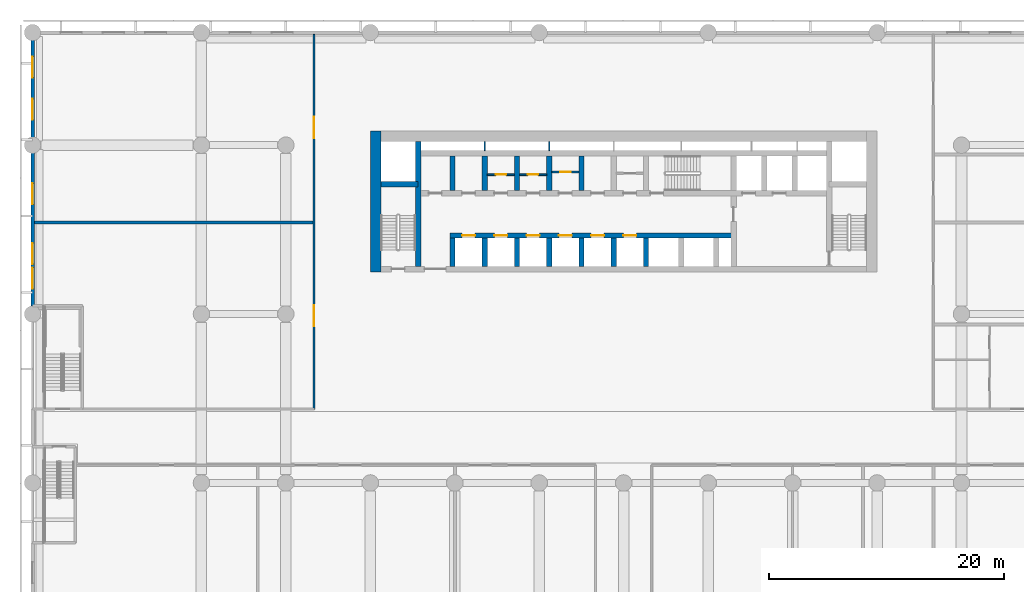
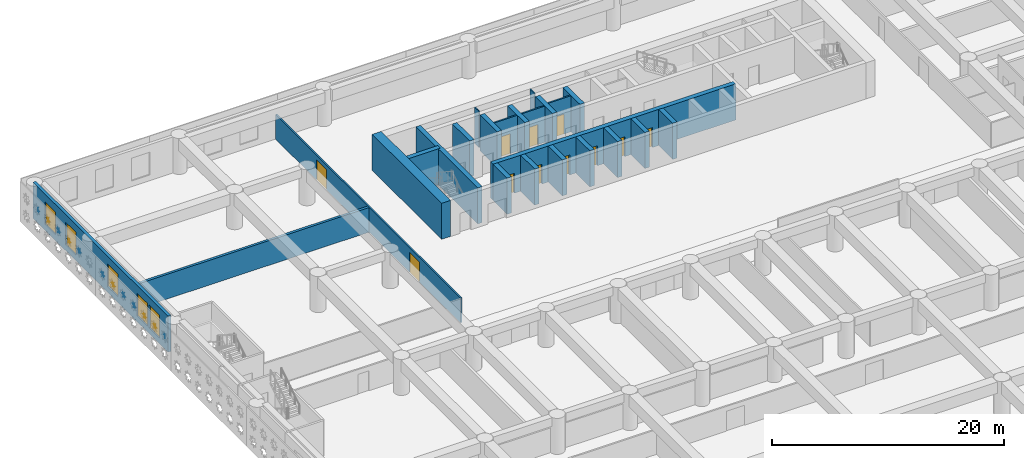
# One storey, part 6 of 23: 24 walls, 11 doors, 5 windows, 16 openings.
"""IFC4 building model written with IfcOpenShell, lengths in metres."""

from ifc_helpers import new_model, si_unit, direction, frame, frame_2d, origin, place, context, subcontext, project, spatial, rectangle, extrude, material, layer, layer_set, type_object, element, fill, save


model = new_model("IFC4")

# Units and contexts
model_context = context("Model", 3, precision=1e-05, world=origin(), true_north=direction((0.0, 1.0)))
body_context = subcontext(model_context, "Body", "Model", "MODEL_VIEW")
ifc_project = project(units=[si_unit("LENGTHUNIT", "METRE"), si_unit("AREAUNIT", "SQUARE_METRE"), si_unit("VOLUMEUNIT", "CUBIC_METRE"), si_unit("PLANEANGLEUNIT", "RADIAN"), si_unit("MASSUNIT", "GRAM", prefix="KILO")], contexts=[model_context])

# Site, building, storey
site_placement = place(None, origin())
site = spatial("IfcSite", under=ifc_project, at=site_placement, CompositionType="ELEMENT")
building_placement = place(site_placement, origin())
building = spatial("IfcBuilding", under=site, at=building_placement, Name="Saffron Iwan Residences", CompositionType="ELEMENT")
storey_placement = place(building_placement, frame((0.0, 0.0, 17.39990234375)))
storey = spatial("IfcBuildingStorey", under=building, at=storey_placement, Name="L03", CompositionType="ELEMENT", Elevation=17.39990234375)

# Wall, openings, doors
ifc_material_1 = material(Name="Concrete blockwork", Category="masonry")
ifc_layer_1 = layer(ifc_material_1, 0.14990234375)
ifc_layer_set_1 = layer_set([ifc_layer_1], Name="Concrete blockwork")
wall_type_1 = type_object("IfcWallType", Name="Blockwork partition 150", PredefinedType="PARTITIONING", material=ifc_layer_set_1)
wall_1_placement = place(storey_placement, frame((24.0, 54.300048828125, 0.0), z_axis=(0.0, 0.0, 1.0), x_axis=(0.0, 1.0, 0.0)))
wall_1 = element("IfcWall", 1, at=wall_1_placement, inside=storey, type_object=wall_type_1, Name="W-L03-033", PredefinedType="PARTITIONING", context=body_context, shape_type="SweptSolid", body=[
    extrude(rectangle(XDim=31.949951171875, YDim=0.14990234375, at=frame_2d((15.97509765625, 0.0))), origin(), (0.0, 0.0, 1.0), 2.60009765625),
])
opening_1_placement = place(wall_1_placement, frame((7.050048828125, 0.0, 0.0)))
opening_1 = element("IfcOpeningElement", 2, at=opening_1_placement, cuts=wall_1, Name="Opening L03.17", PredefinedType="OPENING", context=body_context, shape_type="SweptSolid", body=[
    extrude(rectangle(XDim=1.800048828125, YDim=2.10009765625, at=frame_2d((0.89990234375, 1.050048828125))), frame((0.0, 0.0849609375, 0.0), z_axis=(0.0, -1.0, 0.0), x_axis=(1.0, 0.0, 0.0)), (0.0, 0.0, 1.0), 0.169921875),
])
opening_2_placement = place(wall_1_placement, frame((23.10009765625, 0.0, 0.0)))
opening_2 = element("IfcOpeningElement", 3, at=opening_2_placement, cuts=wall_1, Name="Opening L03.18", PredefinedType="OPENING", context=body_context, shape_type="SweptSolid", body=[
    extrude(rectangle(XDim=1.800048828125, YDim=2.10009765625, at=frame_2d((0.89990234375, 1.050048828125))), frame((0.0, 0.0849609375, 0.0), z_axis=(0.0, -1.0, 0.0), x_axis=(1.0, 0.0, 0.0)), (0.0, 0.0, 1.0), 0.169921875),
])
ifc_material_2 = material(Name="Timber", Category="wood")
door_type_1 = type_object("IfcDoorType", Name="Door 1800x2100", OperationType="DOUBLE_DOOR_SINGLE_SWING", PredefinedType="DOOR", material=ifc_material_2)
door_1_placement = place(opening_1_placement, origin())
door_1 = element("IfcDoor", 4, at=door_1_placement, inside=storey, type_object=door_type_1, Name="D-L03-017", OperationType="DOUBLE_DOOR_SINGLE_SWING", OverallHeight=2.10009765625, OverallWidth=1.800048828125, PredefinedType="DOOR", context=body_context, shape_type="SweptSolid", body=[
    extrude(rectangle(XDim=1.800048828125, YDim=2.10009765625, at=frame_2d((0.89990234375, 1.050048828125))), frame((0.0, 0.02490234375, 0.0), z_axis=(0.0, -1.0, 0.0), x_axis=(1.0, 0.0, 0.0)), (0.0, 0.0, 1.0), 0.050048828125),
])
fill(opening_1, door_1)
door_2_placement = place(opening_2_placement, origin())
door_2 = element("IfcDoor", 5, at=door_2_placement, inside=storey, type_object=door_type_1, Name="D-L03-018", OperationType="DOUBLE_DOOR_SINGLE_SWING", OverallHeight=2.10009765625, OverallWidth=1.800048828125, PredefinedType="DOOR", context=body_context, shape_type="SweptSolid", body=[
    extrude(rectangle(XDim=1.800048828125, YDim=2.10009765625, at=frame_2d((0.89990234375, 1.050048828125))), frame((0.0, 0.02490234375, 0.0), z_axis=(0.0, -1.0, 0.0), x_axis=(1.0, 0.0, 0.0)), (0.0, 0.0, 1.0), 0.050048828125),
])
fill(opening_2, door_2)

# Wall, opening, door
ifc_material_3 = material(Name="Fire-rated plasterboard partition")
ifc_layer_2 = layer(ifc_material_3, 0.14990234375)
ifc_layer_set_2 = layer_set([ifc_layer_2], Name="Fire-rated plasterboard partition")
wall_type_2 = type_object("IfcWallType", Name="Core partition 150", PredefinedType="PARTITIONING", material=ifc_layer_set_2)
wall_2_placement = place(storey_placement, frame((38.77490234375, 74.281982421875, 0.0), z_axis=(0.0, 0.0, 1.0), x_axis=(1.0, 0.0, 0.0)))
wall_2 = element("IfcWall", 6, at=wall_2_placement, inside=storey, type_object=wall_type_2, Name="Core partition P01", PredefinedType="PARTITIONING", context=body_context, shape_type="SweptSolid", body=[
    extrude(rectangle(XDim=2.300048828125, YDim=0.14990234375, at=frame_2d((1.14990234375, 0.0))), origin(), (0.0, 0.0, 1.0), 3.800048828125),
])
opening_3_placement = place(wall_2_placement, frame((0.699951171875, 0.0, 0.0)))
opening_3 = element("IfcOpeningElement", 7, at=opening_3_placement, cuts=wall_2, Name="Opening SB", PredefinedType="OPENING", context=body_context, shape_type="SweptSolid", body=[
    extrude(rectangle(XDim=0.89990234375, YDim=2.10009765625, at=frame_2d((0.449951171875, 1.050048828125))), frame((0.0, 0.0849609375, 0.0), z_axis=(0.0, -1.0, 0.0), x_axis=(1.0, 0.0, 0.0)), (0.0, 0.0, 1.0), 0.169921875),
])
ifc_material_4 = material(Name="Steel fire door", Category="steel")
door_type_2 = type_object("IfcDoorType", Name="Store door 900", OperationType="NOTDEFINED", PredefinedType="DOOR", material=ifc_material_4)
door_3_placement = place(opening_3_placement, origin())
door_3 = element("IfcDoor", 8, at=door_3_placement, inside=storey, type_object=door_type_2, Name="Door Equipment store", OperationType="SINGLE_SWING_RIGHT", OverallHeight=2.10009765625, OverallWidth=0.89990234375, PredefinedType="DOOR", context=body_context, shape_type="SweptSolid", body=[
    extrude(rectangle(XDim=0.89990234375, YDim=2.10009765625, at=frame_2d((0.449951171875, 1.050048828125))), frame((0.0, 0.02490234375, 0.0), z_axis=(0.0, -1.0, 0.0), x_axis=(1.0, 0.0, 0.0)), (0.0, 0.0, 1.0), 0.050048828125),
])
fill(opening_3, door_3)

wall_3_placement = place(storey_placement, frame((41.52490234375, 74.281982421875, 0.0), z_axis=(0.0, 0.0, 1.0), x_axis=(1.0, 0.0, 0.0)))
wall_3 = element("IfcWall", 9, at=wall_3_placement, inside=storey, type_object=wall_type_2, Name="Core partition P02", PredefinedType="PARTITIONING", context=body_context, shape_type="SweptSolid", body=[
    extrude(rectangle(XDim=2.300048828125, YDim=0.14990234375, at=frame_2d((1.14990234375, 0.0))), origin(), (0.0, 0.0, 1.0), 3.800048828125),
])
opening_4_placement = place(wall_3_placement, frame((0.699951171875, 0.0, 0.0)))
opening_4 = element("IfcOpeningElement", 10, at=opening_4_placement, cuts=wall_3, Name="Opening SB", PredefinedType="OPENING", context=body_context, shape_type="SweptSolid", body=[
    extrude(rectangle(XDim=0.89990234375, YDim=2.10009765625, at=frame_2d((0.449951171875, 1.050048828125))), frame((0.0, 0.0849609375, 0.0), z_axis=(0.0, -1.0, 0.0), x_axis=(1.0, 0.0, 0.0)), (0.0, 0.0, 1.0), 0.169921875),
])
door_4_placement = place(opening_4_placement, origin())
door_4 = element("IfcDoor", 11, at=door_4_placement, inside=storey, type_object=door_type_2, Name="Door Mop store", OperationType="SINGLE_SWING_LEFT", OverallHeight=2.10009765625, OverallWidth=0.89990234375, PredefinedType="DOOR", context=body_context, shape_type="SweptSolid", body=[
    extrude(rectangle(XDim=0.89990234375, YDim=2.10009765625, at=frame_2d((0.449951171875, 1.050048828125))), frame((0.0, 0.02490234375, 0.0), z_axis=(0.0, -1.0, 0.0), x_axis=(1.0, 0.0, 0.0)), (0.0, 0.0, 1.0), 0.050048828125),
])
fill(opening_4, door_4)

wall_4_placement = place(storey_placement, frame((44.27490234375, 74.51806640625, 0.0), z_axis=(0.0, 0.0, 1.0), x_axis=(1.0, 0.0, 0.0)))
wall_4 = element("IfcWall", 12, at=wall_4_placement, inside=storey, type_object=wall_type_2, Name="Core partition P03", PredefinedType="PARTITIONING", context=body_context, shape_type="SweptSolid", body=[
    extrude(rectangle(XDim=2.300048828125, YDim=0.14990234375, at=frame_2d((1.14990234375, 0.0))), origin(), (0.0, 0.0, 1.0), 3.800048828125),
])
opening_5_placement = place(wall_4_placement, frame((0.699951171875, 0.0, 0.0)))
opening_5 = element("IfcOpeningElement", 13, at=opening_5_placement, cuts=wall_4, Name="Opening SB", PredefinedType="OPENING", context=body_context, shape_type="SweptSolid", body=[
    extrude(rectangle(XDim=0.89990234375, YDim=2.10009765625, at=frame_2d((0.449951171875, 1.050048828125))), frame((0.0, 0.0849609375, 0.0), z_axis=(0.0, -1.0, 0.0), x_axis=(1.0, 0.0, 0.0)), (0.0, 0.0, 1.0), 0.169921875),
])
door_5_placement = place(opening_5_placement, origin())
door_5 = element("IfcDoor", 14, at=door_5_placement, inside=storey, type_object=door_type_2, Name="Door Spares store", OperationType="SINGLE_SWING_LEFT", OverallHeight=2.10009765625, OverallWidth=0.89990234375, PredefinedType="DOOR", context=body_context, shape_type="SweptSolid", body=[
    extrude(rectangle(XDim=0.89990234375, YDim=2.10009765625, at=frame_2d((0.449951171875, 1.050048828125))), frame((0.0, 0.02490234375, 0.0), z_axis=(0.0, -1.0, 0.0), x_axis=(1.0, 0.0, 0.0)), (0.0, 0.0, 1.0), 0.050048828125),
])
fill(opening_5, door_5)

# Wall
ifc_material_5 = material(Name="Concrete C40/50", Category="concrete")
ifc_layer_3 = layer(ifc_material_5, 0.25)
ifc_layer_set_3 = layer_set([ifc_layer_3], Name="Concrete C40/50")
wall_type_3 = type_object("IfcWallType", Name="Fire compartment wall 250", PredefinedType="SOLIDWALL", material=ifc_layer_set_3)
wall_5_placement = place(storey_placement, frame((0.14990234375, 70.199951171875, 0.0), z_axis=(0.0, 0.0, 1.0), x_axis=(1.0, 0.0, 0.0)))
element("IfcWall", 15, at=wall_5_placement, inside=storey, type_object=wall_type_3, Name="W-L03-021", PredefinedType="SOLIDWALL", context=body_context, shape_type="SweptSolid", body=[
    extrude(rectangle(XDim=23.775146484375, YDim=0.25, at=frame_2d((11.8876953125, 0.0))), origin(), (0.0, 0.0, 1.0), 2.60009765625),
])

# Wall, openings, windows
ifc_material_6 = material(Name="Precast concrete C40/50", Category="concrete")
ifc_layer_4 = layer(ifc_material_6, 0.300048828125)
ifc_layer_set_4 = layer_set([ifc_layer_4], Name="Precast concrete C40/50")
wall_type_4 = type_object("IfcWallType", Name="Podium external wall 300", PredefinedType="SOLIDWALL", material=ifc_layer_set_4)
wall_6_placement = place(storey_placement, frame((0.0, 63.10009765625, 0.0), z_axis=(0.0, 0.0, 1.0), x_axis=(0.0, 1.0, 0.0)))
wall_6 = element("IfcWall", 16, at=wall_6_placement, inside=storey, type_object=wall_type_4, Name="W-L03-027", PredefinedType="SOLIDWALL", context=body_context, shape_type="SweptSolid", body=[
    extrude(rectangle(XDim=23.2998046875, YDim=0.300048828125, at=frame_2d((11.64990234375, 0.0))), origin(), (0.0, 0.0, 1.0), 3.800048828125),
])
opening_6_placement = place(wall_6_placement, frame((1.449951171875, 0.0, 0.60009765625)))
opening_6 = element("IfcOpeningElement", 17, at=opening_6_placement, cuts=wall_6, Name="Opening W7", PredefinedType="OPENING", context=body_context, shape_type="SweptSolid", body=[
    extrude(rectangle(XDim=1.800048828125, YDim=2.39990234375, at=frame_2d((0.89990234375, 1.199951171875))), frame((0.0, 0.16015625, 0.0), z_axis=(0.0, -1.0, 0.0), x_axis=(1.0, 0.0, 0.0)), (0.0, 0.0, 1.0), 0.320068359375),
])
opening_7_placement = place(wall_6_placement, frame((3.550048828125, 0.0, 0.60009765625)))
opening_7 = element("IfcOpeningElement", 18, at=opening_7_placement, cuts=wall_6, Name="Opening W7", PredefinedType="OPENING", context=body_context, shape_type="SweptSolid", body=[
    extrude(rectangle(XDim=1.800048828125, YDim=2.39990234375, at=frame_2d((0.89990234375, 1.199951171875))), frame((0.0, 0.16015625, 0.0), z_axis=(0.0, -1.0, 0.0), x_axis=(1.0, 0.0, 0.0)), (0.0, 0.0, 1.0), 0.320068359375),
])
opening_8_placement = place(wall_6_placement, frame((8.64990234375, 0.0, 0.60009765625)))
opening_8 = element("IfcOpeningElement", 19, at=opening_8_placement, cuts=wall_6, Name="Opening W7", PredefinedType="OPENING", context=body_context, shape_type="SweptSolid", body=[
    extrude(rectangle(XDim=1.800048828125, YDim=2.39990234375, at=frame_2d((0.89990234375, 1.199951171875))), frame((0.0, 0.16015625, 0.0), z_axis=(0.0, -1.0, 0.0), x_axis=(1.0, 0.0, 0.0)), (0.0, 0.0, 1.0), 0.320068359375),
])
opening_9_placement = place(wall_6_placement, frame((15.85009765625, 0.0, 0.60009765625)))
opening_9 = element("IfcOpeningElement", 20, at=opening_9_placement, cuts=wall_6, Name="Opening W7", PredefinedType="OPENING", context=body_context, shape_type="SweptSolid", body=[
    extrude(rectangle(XDim=1.800048828125, YDim=2.39990234375, at=frame_2d((0.89990234375, 1.199951171875))), frame((0.0, 0.16015625, 0.0), z_axis=(0.0, -1.0, 0.0), x_axis=(1.0, 0.0, 0.0)), (0.0, 0.0, 1.0), 0.320068359375),
])
opening_10_placement = place(wall_6_placement, frame((19.449951171875, 0.0, 0.60009765625)))
opening_10 = element("IfcOpeningElement", 21, at=opening_10_placement, cuts=wall_6, Name="Opening W7", PredefinedType="OPENING", context=body_context, shape_type="SweptSolid", body=[
    extrude(rectangle(XDim=1.800048828125, YDim=2.39990234375, at=frame_2d((0.89990234375, 1.199951171875))), frame((0.0, 0.16015625, 0.0), z_axis=(0.0, -1.0, 0.0), x_axis=(1.0, 0.0, 0.0)), (0.0, 0.0, 1.0), 0.320068359375),
])
ifc_material_7 = material(Name="Clear glass, laminated double glazed", Category="glass")
window_type = type_object("IfcWindowType", Name="WINDOW 1800 x 2400 PODIUM", PartitioningType="DOUBLE_PANEL_VERTICAL", PredefinedType="WINDOW", material=ifc_material_7)
window_1_placement = place(opening_6_placement, origin())
window_1 = element("IfcWindow", 22, at=window_1_placement, inside=storey, type_object=window_type, Name="Window L03 W-L03-027.0", OverallHeight=2.39990234375, OverallWidth=1.800048828125, PartitioningType="DOUBLE_PANEL_VERTICAL", PredefinedType="WINDOW", context=body_context, shape_type="SweptSolid", body=[
    extrude(rectangle(XDim=1.800048828125, YDim=2.39990234375, at=frame_2d((0.89990234375, 1.199951171875))), frame((0.0, 0.030029296875, 0.0), z_axis=(0.0, -1.0, 0.0), x_axis=(1.0, 0.0, 0.0)), (0.0, 0.0, 1.0), 0.06005859375),
])
fill(opening_6, window_1)
window_2_placement = place(opening_7_placement, origin())
window_2 = element("IfcWindow", 23, at=window_2_placement, inside=storey, type_object=window_type, Name="Window L03 W-L03-027.1", OverallHeight=2.39990234375, OverallWidth=1.800048828125, PartitioningType="DOUBLE_PANEL_VERTICAL", PredefinedType="WINDOW", context=body_context, shape_type="SweptSolid", body=[
    extrude(rectangle(XDim=1.800048828125, YDim=2.39990234375, at=frame_2d((0.89990234375, 1.199951171875))), frame((0.0, 0.030029296875, 0.0), z_axis=(0.0, -1.0, 0.0), x_axis=(1.0, 0.0, 0.0)), (0.0, 0.0, 1.0), 0.06005859375),
])
fill(opening_7, window_2)
window_3_placement = place(opening_8_placement, origin())
window_3 = element("IfcWindow", 24, at=window_3_placement, inside=storey, type_object=window_type, Name="Window L03 W-L03-027.2", OverallHeight=2.39990234375, OverallWidth=1.800048828125, PartitioningType="DOUBLE_PANEL_VERTICAL", PredefinedType="WINDOW", context=body_context, shape_type="SweptSolid", body=[
    extrude(rectangle(XDim=1.800048828125, YDim=2.39990234375, at=frame_2d((0.89990234375, 1.199951171875))), frame((0.0, 0.030029296875, 0.0), z_axis=(0.0, -1.0, 0.0), x_axis=(1.0, 0.0, 0.0)), (0.0, 0.0, 1.0), 0.06005859375),
])
fill(opening_8, window_3)
window_4_placement = place(opening_9_placement, origin())
window_4 = element("IfcWindow", 25, at=window_4_placement, inside=storey, type_object=window_type, Name="Window L03 W-L03-027.3", OverallHeight=2.39990234375, OverallWidth=1.800048828125, PartitioningType="DOUBLE_PANEL_VERTICAL", PredefinedType="WINDOW", context=body_context, shape_type="SweptSolid", body=[
    extrude(rectangle(XDim=1.800048828125, YDim=2.39990234375, at=frame_2d((0.89990234375, 1.199951171875))), frame((0.0, 0.030029296875, 0.0), z_axis=(0.0, -1.0, 0.0), x_axis=(1.0, 0.0, 0.0)), (0.0, 0.0, 1.0), 0.06005859375),
])
fill(opening_9, window_4)
window_5_placement = place(opening_10_placement, origin())
window_5 = element("IfcWindow", 26, at=window_5_placement, inside=storey, type_object=window_type, Name="Window L03 W-L03-027.4", OverallHeight=2.39990234375, OverallWidth=1.800048828125, PartitioningType="DOUBLE_PANEL_VERTICAL", PredefinedType="WINDOW", context=body_context, shape_type="SweptSolid", body=[
    extrude(rectangle(XDim=1.800048828125, YDim=2.39990234375, at=frame_2d((0.89990234375, 1.199951171875))), frame((0.0, 0.030029296875, 0.0), z_axis=(0.0, -1.0, 0.0), x_axis=(1.0, 0.0, 0.0)), (0.0, 0.0, 1.0), 0.06005859375),
])
fill(opening_10, window_5)

# Walls
ifc_layer_5 = layer(ifc_material_3, 0.10009765625)
ifc_layer_set_5 = layer_set([ifc_layer_5], Name="Fire-rated plasterboard partition")
wall_type_5 = type_object("IfcWallType", Name="Riser partition 100", PredefinedType="PARTITIONING", material=ifc_layer_set_5)
for number, where, z_axis, x_axis, name in (
    (27, (38.550048828125, 76.324951171875, 0.0), (0.0, 0.0, 1.0), (0.0, 1.0, 0.0), "Core partition P05"),
    (28, (44.050048828125, 76.324951171875, 0.0), (0.0, 0.0, 1.0), (0.0, 1.0, 0.0), "Core partition P06"),
):
    element("IfcWall", number, at=place(storey_placement, frame(where, z_axis=z_axis, x_axis=x_axis)), inside=storey, type_object=wall_type_5, Name=name, PredefinedType="PARTITIONING", context=body_context, shape_type="SweptSolid", body=[
        extrude(rectangle(XDim=0.775146484375, YDim=0.10009765625, at=frame_2d((0.3876953125, 0.0))), origin(), (0.0, 0.0, 1.0), 3.800048828125),
    ])

# Wall, openings, doors
ifc_material_8 = material(Name="Concrete C60/75", Category="concrete")
ifc_layer_6 = layer(ifc_material_8, 0.449951171875)
ifc_layer_set_6 = layer_set([ifc_layer_6], Name="Concrete C60/75")
wall_type_6 = type_object("IfcWallType", Name="WALL CORE 450 C60/75 3800 HIGH", PredefinedType="SHEAR", material=ifc_layer_set_6)
wall_7_placement = place(storey_placement, frame((35.574951171875, 69.10009765625, 0.0), z_axis=(0.0, 0.0, 1.0), x_axis=(1.0, 0.0, 0.0)))
wall_7 = element("IfcWall", 29, at=wall_7_placement, inside=storey, type_object=wall_type_6, Name="Core wall", PredefinedType="SHEAR", context=body_context, shape_type="SweptSolid", body=[
    extrude(rectangle(XDim=24.199951171875, YDim=0.449951171875, at=frame_2d((12.10009765625, 0.0))), origin(), (0.0, 0.0, 1.0), 3.800048828125),
])
opening_11_placement = place(wall_7_placement, frame((1.050048828125, 0.0, 0.0)))
opening_11 = element("IfcOpeningElement", 30, at=opening_11_placement, cuts=wall_7, Name="Opening LD", PredefinedType="OPENING", context=body_context, shape_type="SweptSolid", body=[
    extrude(rectangle(XDim=1.10009765625, YDim=2.10009765625, at=frame_2d((0.550048828125, 1.050048828125))), frame((0.0, 0.23486328125, 0.0), z_axis=(0.0, -1.0, 0.0), x_axis=(1.0, 0.0, 0.0)), (0.0, 0.0, 1.0), 0.469970703125),
])
opening_12_placement = place(wall_7_placement, frame((3.800048828125, 0.0, 0.0)))
opening_12 = element("IfcOpeningElement", 31, at=opening_12_placement, cuts=wall_7, Name="Opening LD", PredefinedType="OPENING", context=body_context, shape_type="SweptSolid", body=[
    extrude(rectangle(XDim=1.10009765625, YDim=2.10009765625, at=frame_2d((0.550048828125, 1.050048828125))), frame((0.0, 0.23486328125, 0.0), z_axis=(0.0, -1.0, 0.0), x_axis=(1.0, 0.0, 0.0)), (0.0, 0.0, 1.0), 0.469970703125),
])
opening_13_placement = place(wall_7_placement, frame((6.550048828125, 0.0, 0.0)))
opening_13 = element("IfcOpeningElement", 32, at=opening_13_placement, cuts=wall_7, Name="Opening LD", PredefinedType="OPENING", context=body_context, shape_type="SweptSolid", body=[
    extrude(rectangle(XDim=1.10009765625, YDim=2.10009765625, at=frame_2d((0.550048828125, 1.050048828125))), frame((0.0, 0.23486328125, 0.0), z_axis=(0.0, -1.0, 0.0), x_axis=(1.0, 0.0, 0.0)), (0.0, 0.0, 1.0), 0.469970703125),
])
opening_14_placement = place(wall_7_placement, frame((9.300048828125, 0.0, 0.0)))
opening_14 = element("IfcOpeningElement", 33, at=opening_14_placement, cuts=wall_7, Name="Opening LD", PredefinedType="OPENING", context=body_context, shape_type="SweptSolid", body=[
    extrude(rectangle(XDim=1.10009765625, YDim=2.10009765625, at=frame_2d((0.550048828125, 1.050048828125))), frame((0.0, 0.23486328125, 0.0), z_axis=(0.0, -1.0, 0.0), x_axis=(1.0, 0.0, 0.0)), (0.0, 0.0, 1.0), 0.469970703125),
])
opening_15_placement = place(wall_7_placement, frame((12.050048828125, 0.0, 0.0)))
opening_15 = element("IfcOpeningElement", 34, at=opening_15_placement, cuts=wall_7, Name="Opening LD", PredefinedType="OPENING", context=body_context, shape_type="SweptSolid", body=[
    extrude(rectangle(XDim=1.10009765625, YDim=2.10009765625, at=frame_2d((0.550048828125, 1.050048828125))), frame((0.0, 0.23486328125, 0.0), z_axis=(0.0, -1.0, 0.0), x_axis=(1.0, 0.0, 0.0)), (0.0, 0.0, 1.0), 0.469970703125),
])
opening_16_placement = place(wall_7_placement, frame((14.800048828125, 0.0, 0.0)))
opening_16 = element("IfcOpeningElement", 35, at=opening_16_placement, cuts=wall_7, Name="Opening LD", PredefinedType="OPENING", context=body_context, shape_type="SweptSolid", body=[
    extrude(rectangle(XDim=1.10009765625, YDim=2.10009765625, at=frame_2d((0.550048828125, 1.050048828125))), frame((0.0, 0.23486328125, 0.0), z_axis=(0.0, -1.0, 0.0), x_axis=(1.0, 0.0, 0.0)), (0.0, 0.0, 1.0), 0.469970703125),
])
door_type_3 = type_object("IfcDoorType", Name="Lift landing door 1100", OperationType="SLIDING_TO_LEFT", PredefinedType="DOOR", material=ifc_material_4)
door_6_placement = place(opening_11_placement, origin())
door_6 = element("IfcDoor", 36, at=door_6_placement, inside=storey, type_object=door_type_3, Name="Landing doors LR1", OperationType="SLIDING_TO_LEFT", OverallHeight=2.10009765625, OverallWidth=1.10009765625, PredefinedType="DOOR", context=body_context, shape_type="SweptSolid", body=[
    extrude(rectangle(XDim=1.10009765625, YDim=2.10009765625, at=frame_2d((0.550048828125, 1.050048828125))), frame((0.0, 0.02490234375, 0.0), z_axis=(0.0, -1.0, 0.0), x_axis=(1.0, 0.0, 0.0)), (0.0, 0.0, 1.0), 0.050048828125),
])
fill(opening_11, door_6)
door_7_placement = place(opening_12_placement, origin())
door_7 = element("IfcDoor", 37, at=door_7_placement, inside=storey, type_object=door_type_3, Name="Landing doors LR2", OperationType="SLIDING_TO_LEFT", OverallHeight=2.10009765625, OverallWidth=1.10009765625, PredefinedType="DOOR", context=body_context, shape_type="SweptSolid", body=[
    extrude(rectangle(XDim=1.10009765625, YDim=2.10009765625, at=frame_2d((0.550048828125, 1.050048828125))), frame((0.0, 0.02490234375, 0.0), z_axis=(0.0, -1.0, 0.0), x_axis=(1.0, 0.0, 0.0)), (0.0, 0.0, 1.0), 0.050048828125),
])
fill(opening_12, door_7)
door_8_placement = place(opening_13_placement, origin())
door_8 = element("IfcDoor", 38, at=door_8_placement, inside=storey, type_object=door_type_3, Name="Landing doors LR3", OperationType="SLIDING_TO_LEFT", OverallHeight=2.10009765625, OverallWidth=1.10009765625, PredefinedType="DOOR", context=body_context, shape_type="SweptSolid", body=[
    extrude(rectangle(XDim=1.10009765625, YDim=2.10009765625, at=frame_2d((0.550048828125, 1.050048828125))), frame((0.0, 0.02490234375, 0.0), z_axis=(0.0, -1.0, 0.0), x_axis=(1.0, 0.0, 0.0)), (0.0, 0.0, 1.0), 0.050048828125),
])
fill(opening_13, door_8)
door_9_placement = place(opening_14_placement, origin())
door_9 = element("IfcDoor", 39, at=door_9_placement, inside=storey, type_object=door_type_3, Name="Landing doors LR4", OperationType="SLIDING_TO_LEFT", OverallHeight=2.10009765625, OverallWidth=1.10009765625, PredefinedType="DOOR", context=body_context, shape_type="SweptSolid", body=[
    extrude(rectangle(XDim=1.10009765625, YDim=2.10009765625, at=frame_2d((0.550048828125, 1.050048828125))), frame((0.0, 0.02490234375, 0.0), z_axis=(0.0, -1.0, 0.0), x_axis=(1.0, 0.0, 0.0)), (0.0, 0.0, 1.0), 0.050048828125),
])
fill(opening_14, door_9)
door_10_placement = place(opening_15_placement, origin())
door_10 = element("IfcDoor", 40, at=door_10_placement, inside=storey, type_object=door_type_3, Name="Landing doors LR5", OperationType="SLIDING_TO_LEFT", OverallHeight=2.10009765625, OverallWidth=1.10009765625, PredefinedType="DOOR", context=body_context, shape_type="SweptSolid", body=[
    extrude(rectangle(XDim=1.10009765625, YDim=2.10009765625, at=frame_2d((0.550048828125, 1.050048828125))), frame((0.0, 0.02490234375, 0.0), z_axis=(0.0, -1.0, 0.0), x_axis=(1.0, 0.0, 0.0)), (0.0, 0.0, 1.0), 0.050048828125),
])
fill(opening_15, door_10)
door_11_placement = place(opening_16_placement, origin())
door_11 = element("IfcDoor", 41, at=door_11_placement, inside=storey, type_object=door_type_3, Name="Landing doors LR6", OperationType="SLIDING_TO_LEFT", OverallHeight=2.10009765625, OverallWidth=1.10009765625, PredefinedType="DOOR", context=body_context, shape_type="SweptSolid", body=[
    extrude(rectangle(XDim=1.10009765625, YDim=2.10009765625, at=frame_2d((0.550048828125, 1.050048828125))), frame((0.0, 0.02490234375, 0.0), z_axis=(0.0, -1.0, 0.0), x_axis=(1.0, 0.0, 0.0)), (0.0, 0.0, 1.0), 0.050048828125),
])
fill(opening_16, door_11)

# Walls
wall_8_placement = place(storey_placement, frame((29.699951171875, 73.47509765625, 0.0), z_axis=(0.0, 0.0, 1.0), x_axis=(1.0, 0.0, 0.0)))
element("IfcWall", 42, at=wall_8_placement, inside=storey, type_object=wall_type_6, Name="Core wall", PredefinedType="SHEAR", context=body_context, shape_type="SweptSolid", body=[
    extrude(rectangle(XDim=3.175048828125, YDim=0.449951171875, at=frame_2d((1.58740234375, 0.0))), origin(), (0.0, 0.0, 1.0), 3.800048828125),
])
wall_9_placement = place(storey_placement, frame((32.875, 66.449951171875, 0.0), z_axis=(0.0, 0.0, 1.0), x_axis=(0.0, 1.0, 0.0)))
element("IfcWall", 43, at=wall_9_placement, inside=storey, type_object=wall_type_6, Name="Core wall", PredefinedType="SHEAR", context=body_context, shape_type="SweptSolid", body=[
    extrude(rectangle(XDim=10.650146484375, YDim=0.449951171875, at=frame_2d((5.3251953125, 0.0))), origin(), (0.0, 0.0, 1.0), 3.800048828125),
])
for number, where, z_axis, x_axis, name in (
    (44, (35.800048828125, 66.449951171875, 0.0), (0.0, 0.0, 1.0), (0.0, 1.0, 0.0), "Core wall"),
    (45, (38.550048828125, 66.449951171875, 0.0), (0.0, 0.0, 1.0), (0.0, 1.0, 0.0), "Core wall"),
    (46, (41.300048828125, 66.449951171875, 0.0), (0.0, 0.0, 1.0), (0.0, 1.0, 0.0), "Core wall"),
    (47, (44.050048828125, 66.449951171875, 0.0), (0.0, 0.0, 1.0), (0.0, 1.0, 0.0), "Core wall"),
    (48, (46.800048828125, 66.449951171875, 0.0), (0.0, 0.0, 1.0), (0.0, 1.0, 0.0), "Core wall"),
    (49, (49.550048828125, 66.449951171875, 0.0), (0.0, 0.0, 1.0), (0.0, 1.0, 0.0), "Core wall"),
    (50, (52.300048828125, 66.449951171875, 0.0), (0.0, 0.0, 1.0), (0.0, 1.0, 0.0), "Core wall"),
):
    element("IfcWall", number, at=place(storey_placement, frame(where, z_axis=z_axis, x_axis=x_axis)), inside=storey, type_object=wall_type_6, Name=name, PredefinedType="SHEAR", context=body_context, shape_type="SweptSolid", body=[
        extrude(rectangle(XDim=2.425048828125, YDim=0.449951171875, at=frame_2d((1.21240234375, 0.0))), origin(), (0.0, 0.0, 1.0), 3.800048828125),
    ])
for number, where, z_axis, x_axis, name in (
    (51, (35.800048828125, 72.925048828125, 0.0), (0.0, 0.0, 1.0), (0.0, 1.0, 0.0), "Core wall"),
    (52, (38.550048828125, 72.925048828125, 0.0), (0.0, 0.0, 1.0), (0.0, 1.0, 0.0), "Core wall"),
    (53, (41.300048828125, 72.925048828125, 0.0), (0.0, 0.0, 1.0), (0.0, 1.0, 0.0), "Core wall"),
    (54, (44.050048828125, 72.925048828125, 0.0), (0.0, 0.0, 1.0), (0.0, 1.0, 0.0), "Core wall"),
    (55, (46.800048828125, 72.925048828125, 0.0), (0.0, 0.0, 1.0), (0.0, 1.0, 0.0), "Core wall"),
):
    element("IfcWall", number, at=place(storey_placement, frame(where, z_axis=z_axis, x_axis=x_axis)), inside=storey, type_object=wall_type_6, Name=name, PredefinedType="SHEAR", context=body_context, shape_type="SweptSolid", body=[
        extrude(rectangle(XDim=2.949951171875, YDim=0.449951171875, at=frame_2d((1.47509765625, 0.0))), origin(), (0.0, 0.0, 1.0), 3.800048828125),
    ])
ifc_layer_7 = layer(ifc_material_8, 0.89990234375)
ifc_layer_set_7 = layer_set([ifc_layer_7], Name="Concrete C60/75")
wall_type_7 = type_object("IfcWallType", Name="WALL CORE 900 C60/75 3800 HIGH", PredefinedType="SHEAR", material=ifc_layer_set_7)
wall_10_placement = place(storey_placement, frame((29.25, 66.0, 0.0), z_axis=(0.0, 0.0, 1.0), x_axis=(0.0, 1.0, 0.0)))
element("IfcWall", 56, at=wall_10_placement, inside=storey, type_object=wall_type_7, Name="Core wall", PredefinedType="SHEAR", context=body_context, shape_type="SweptSolid", body=[
    extrude(rectangle(XDim=12.0, YDim=0.89990234375, at=frame_2d((6.0, 0.0))), origin(), (0.0, 0.0, 1.0), 3.800048828125),
])

save(model, "model.ifc")
